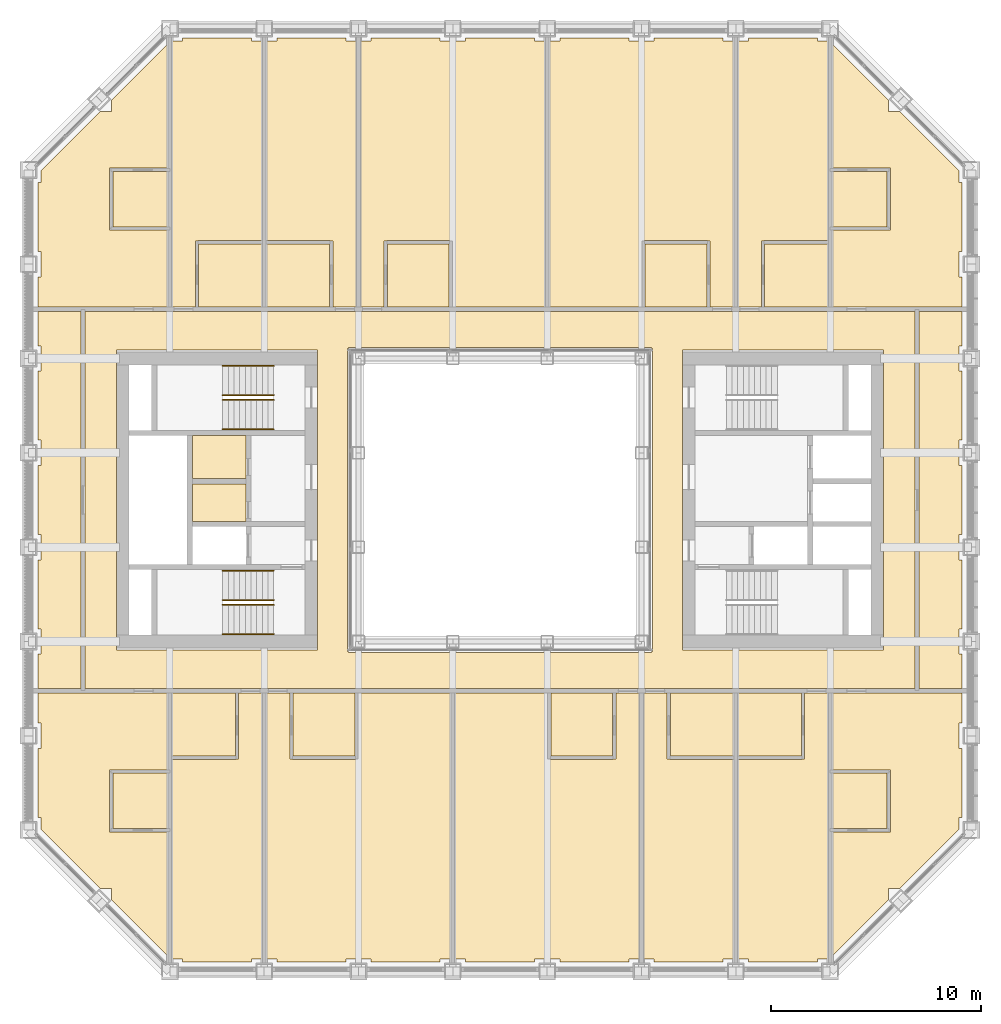
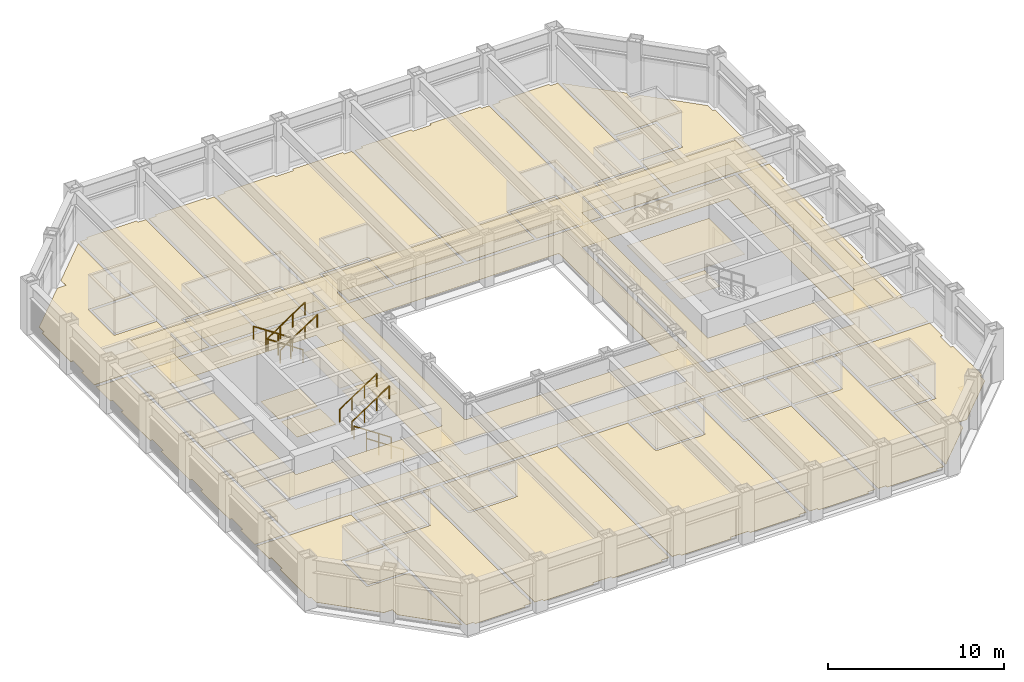
# One storey, part 15 of 17: 8 railings, 5 coverings.
"""IFC4 building model written with IfcOpenShell, lengths in metres."""

import ifcopenshell
import ifcopenshell.guid

model = None  # the IFC model being written
_history = None  # IfcOwnerHistory: only IFC2X3 demands one
_inside = {}  # id of a spatial element -> (the spatial element, [elements in it])
_under = {}  # id of a project, library or spatial element -> (it, [spatial elements below it])
_declared = {}  # id of a project -> (the project, [libraries it declares])
_typed = {}  # id of a type object -> (the type object, [elements of that type])
_made_of = {}  # id of a material, layer set ... -> (it, [elements and type objects made of it])


def new_model(schema):
    """Start an empty IFC model of exactly this schema.

    Asked for "IFC4X3", IfcOpenShell would pick the latest addendum, in which some entities
    have other attributes; the version numbers below select the first issue.
    IFC2X3 requires an IfcOwnerHistory on every rooted entity: one is made here for all.
    """
    global model, _history
    if schema == "IFC4X3":
        model = ifcopenshell.file(schema_version=(4, 3, 0, 0))
    else:
        model = ifcopenshell.file(schema=schema)
    _inside.clear()
    _under.clear()
    _declared.clear()
    _typed.clear()
    _made_of.clear()
    _history = None
    if model.schema == "IFC2X3":
        org = make("IfcOrganization", Name="unknown")
        user = make(
            "IfcPersonAndOrganization",
            ThePerson=make("IfcPerson", FamilyName="unknown"),
            TheOrganization=org,
        )
        app = make(
            "IfcApplication",
            ApplicationDeveloper=org,
            Version="unknown",
            ApplicationFullName="unknown",
            ApplicationIdentifier="unknown",
        )
        _history = make(
            "IfcOwnerHistory",
            OwningUser=user,
            OwningApplication=app,
            ChangeAction="ADDED",
            CreationDate=0,
        )
    return model


def make(cls, **values):
    """One entity of the class cls with the attributes given. An attribute that is None is left unset."""
    return model.create_entity(
        cls, **{name: value for name, value in values.items() if value is not None}
    )


def rooted(cls, **values):
    """An entity with a GlobalId (a new one), such as an element, a storey or a relation."""
    return make(cls, GlobalId=ifcopenshell.guid.new(), OwnerHistory=_history, **values)


def si_unit(unit_type, name, prefix=None):
    """IfcSIUnit, for example si_unit("LENGTHUNIT", "METRE", prefix="MILLI")."""
    return make("IfcSIUnit", UnitType=unit_type, Prefix=prefix, Name=name)


def assignment(units):
    """IfcUnitAssignment: the units of a project."""
    return None if units is None else make("IfcUnitAssignment", Units=units)


def point(xyz):
    """IfcCartesianPoint."""
    return None if xyz is None else make("IfcCartesianPoint", Coordinates=xyz)


def direction(xyz):
    """IfcDirection."""
    return None if xyz is None else make("IfcDirection", DirectionRatios=xyz)


def frame(location, z_axis=None, x_axis=None):
    """IfcAxis2Placement3D, a coordinate frame: its origin and axes. An axis left out is left unset."""
    return make(
        "IfcAxis2Placement3D",
        Location=point(location),
        Axis=direction(z_axis),
        RefDirection=direction(x_axis),
    )


def frame_2d(location, x_axis=None):
    """IfcAxis2Placement2D, a coordinate frame in the plane: its origin and x axis."""
    return make(
        "IfcAxis2Placement2D", Location=point(location), RefDirection=direction(x_axis)
    )


def origin():
    """The frame at (0, 0, 0) with its axes left unset."""
    return frame((0.0, 0.0, 0.0))


def origin_2d():
    """The frame at (0, 0) in the plane with its x axis left unset."""
    return frame_2d((0.0, 0.0))


def place(relative_to, where):
    """IfcLocalPlacement: puts the frame where relative to a parent placement (None: the world)."""
    return make(
        "IfcLocalPlacement", PlacementRelTo=relative_to, RelativePlacement=where
    )


def context(
    kind, dimensions, precision=None, world=None, true_north=None, identifier=None
):
    """IfcGeometricRepresentationContext, for example the 3D "Model" context."""
    return make(
        "IfcGeometricRepresentationContext",
        ContextIdentifier=identifier,
        ContextType=kind,
        CoordinateSpaceDimension=dimensions,
        Precision=precision,
        WorldCoordinateSystem=world,
        TrueNorth=true_north,
    )


def subcontext(parent, identifier, kind, view, scale=None):
    """IfcGeometricRepresentationSubContext, for example "Body" below "Model"."""
    return make(
        "IfcGeometricRepresentationSubContext",
        ContextIdentifier=identifier,
        ContextType=kind,
        ParentContext=parent,
        TargetScale=scale,
        TargetView=view,
    )


def project(units=None, contexts=None):
    """IfcProject with its units and contexts."""
    return rooted(
        "IfcProject",
        Name="project",
        RepresentationContexts=contexts,
        UnitsInContext=assignment(units),
    )


def spatial(cls, under=None, at=None, **own):
    """A site, building, storey or space (cls), placed at a placement, below another one or the project."""
    s = rooted(cls, ObjectPlacement=at, **own)
    if under is not None:
        _under.setdefault(under.id(), (under, []))[1].append(s)
    return s


def point_list(points):
    """IfcCartesianPointList2D or 3D."""
    cls = (
        "IfcCartesianPointList2D" if len(points[0]) == 2 else "IfcCartesianPointList3D"
    )
    return make(cls, CoordList=points)


def line(*indices):
    """IfcLineIndex: a straight run through numbered points of an indexed curve."""
    return model.create_entity("IfcLineIndex", indices)


def indexed_curve(points, segments=None, self_intersect=None):
    """IfcIndexedPolyCurve: lines and arcs through numbered points (the first is 1)."""
    return make(
        "IfcIndexedPolyCurve",
        Points=point_list(points),
        Segments=segments,
        SelfIntersect=self_intersect,
    )


def profile(cls, at=None, kind="AREA", **sizes):
    """A parametric profile (cls). Its sizes go by their IFC names, for example OverallWidth=200.0."""
    return make(cls, ProfileType=kind, Position=at, **sizes)


def circle(**sizes):
    """IfcCircleProfileDef."""
    return profile("IfcCircleProfileDef", **sizes)


def outline(outer, holes=None, kind="AREA"):
    """IfcArbitraryClosedProfileDef: a profile drawn as a closed curve; with holes, ...WithVoids."""
    if holes is None:
        return make("IfcArbitraryClosedProfileDef", ProfileType=kind, OuterCurve=outer)
    return make(
        "IfcArbitraryProfileDefWithVoids",
        ProfileType=kind,
        OuterCurve=outer,
        InnerCurves=holes,
    )


def extrude(swept, where, along, depth):
    """IfcExtrudedAreaSolid: the profile swept, set in the frame where, extruded along a direction by depth."""
    return make(
        "IfcExtrudedAreaSolid",
        SweptArea=swept,
        Position=where,
        ExtrudedDirection=direction(along),
        Depth=depth,
    )


def shape(context_of_items, identifier, shape_type, items):
    """IfcShapeRepresentation: the items that make up one representation, for example the "Body"."""
    return make(
        "IfcShapeRepresentation",
        ContextOfItems=context_of_items,
        RepresentationIdentifier=identifier,
        RepresentationType=shape_type,
        Items=items,
    )


def material(Name=None, Category=None):
    """IfcMaterial."""
    return make("IfcMaterial", Name=Name, Category=Category)


def layer(
    of_material, thickness, ventilated=None, Name=None, Category=None, Priority=None
):
    """IfcMaterialLayer: one layer of a wall or slab, of a material (None: an air gap)."""
    return make(
        "IfcMaterialLayer",
        Material=of_material,
        LayerThickness=thickness,
        IsVentilated=ventilated,
        Name=Name,
        Category=Category,
        Priority=Priority,
    )


def layer_set(layers, Name=None):
    """IfcMaterialLayerSet."""
    return make("IfcMaterialLayerSet", MaterialLayers=layers, LayerSetName=Name)


def made_of(thing, what):
    """Note that an element or type object is made of a material, layer set ...; save() writes the relation."""
    if what is not None:
        _made_of.setdefault(what.id(), (what, []))[1].append(thing)
    return thing


def type_object(cls, material=None, **own):
    """A type object (cls), such as IfcWallType, which elements share."""
    return made_of(rooted(cls, **own), material)


def element(
    cls,
    number,
    at=None,
    inside=None,
    cuts=None,
    type_object=None,
    material=None,
    context=None,
    identifier="Body",
    shape_type=None,
    held_by="IfcProductDefinitionShape",
    body=None,
    shapes=None,
    **own,
):
    """One element of the class cls, such as IfcWall. Its Tag is "e" and its number.

    at: its placement. inside: the storey or other place that contains it. cuts: it is an
    opening in that element (IfcRelVoidsElement). A single representation is given by context,
    identifier, shape_type and body (its items); several are given by shapes. held_by: the class
    of the entity that holds the representations. save() writes the other relations.
    """
    e = rooted(cls, Tag="e%d" % number, ObjectPlacement=at, **own)
    if body is not None:
        shapes = [shape(context, identifier, shape_type, body)]
    if shapes is not None:
        e.Representation = make(held_by, Representations=shapes)
    if inside is not None:
        _inside.setdefault(inside.id(), (inside, []))[1].append(e)
    if cuts is not None:
        rooted(
            "IfcRelVoidsElement", RelatingBuildingElement=cuts, RelatedOpeningElement=e
        )
    if type_object is not None:
        _typed.setdefault(type_object.id(), (type_object, []))[1].append(e)
    return made_of(e, material)


def aggregate(whole, parts):
    """IfcRelAggregates: a whole, such as a stair, and the parts it consists of."""
    return rooted("IfcRelAggregates", RelatingObject=whole, RelatedObjects=parts)


def save(model, path):
    """Write the relations noted so far, then the file.

    IfcRelAggregates (storeys below a building ...), IfcRelContainedInSpatialStructure (elements
    in a storey), IfcRelDefinesByType, IfcRelAssociatesMaterial and IfcRelDeclares: one each for
    every whole, place, type object, material and project.
    """
    for whole, parts in _under.values():
        aggregate(whole, parts)
    for where, things in _inside.values():
        rooted(
            "IfcRelContainedInSpatialStructure",
            RelatedElements=things,
            RelatingStructure=where,
        )
    for kind, things in _typed.values():
        rooted("IfcRelDefinesByType", RelatedObjects=things, RelatingType=kind)
    for what, things in _made_of.values():
        rooted("IfcRelAssociatesMaterial", RelatedObjects=things, RelatingMaterial=what)
    for by, libraries in _declared.values():
        rooted("IfcRelDeclares", RelatingContext=by, RelatedDefinitions=libraries)
    model.write(path)


model = new_model("IFC4")

# Units and contexts
model_context = context("Model", 3, precision=1e-05, world=origin(), true_north=direction((0.0, 1.0)))
body_context = subcontext(model_context, "Body", "Model", "MODEL_VIEW")
ifc_project = project(units=[si_unit("LENGTHUNIT", "METRE"), si_unit("AREAUNIT", "SQUARE_METRE"), si_unit("VOLUMEUNIT", "CUBIC_METRE"), si_unit("PLANEANGLEUNIT", "RADIAN"), si_unit("MASSUNIT", "GRAM", prefix="KILO")], contexts=[model_context])

# Site, building, storey
site_placement = place(None, origin())
site = spatial("IfcSite", under=ifc_project, at=site_placement, CompositionType="ELEMENT")
building_placement = place(site_placement, origin())
building = spatial("IfcBuilding", under=site, at=building_placement, Name="Msasa Ring Tower", CompositionType="ELEMENT")
storey_placement = place(building_placement, frame((0.0, 0.0, 136.39990234375)))
storey = spatial("IfcBuildingStorey", under=building, at=storey_placement, Name="L35", CompositionType="ELEMENT", Elevation=136.39990234375)

# Coverings
ifc_material_1 = material(Name="Gypsum plasterboard on a steel suspension grid", Category="steel")
ifc_layer_1 = layer(ifc_material_1, 0.014892578125)
ifc_layer_set_1 = layer_set([ifc_layer_1], Name="C1 SUSPENDED PLASTERBOARD CEILING 15")
covering_type_1 = type_object("IfcCoveringType", Name="C1 SUSPENDED PLASTERBOARD CEILING 15", PredefinedType="CEILING", material=ifc_layer_set_1)
covering_1_placement = place(storey_placement, frame((0.0, 0.0, 2.400146484375)))
element("IfcCovering", 1, at=covering_1_placement, inside=storey, type_object=covering_type_1, Name="Suspended Plasterboard Ceiling 15 circulation L35", PredefinedType="CEILING", context=body_context, shape_type="SweptSolid", body=[
    extrude(outline(indexed_curve([(19.799560546875, 8.99951171875), (19.799560546875, -8.99951171875), (-19.799560546875, -8.99951171875), (-19.799560546875, 8.99951171875)], segments=[line(1, 2, 3, 4, 1)], self_intersect=False), holes=[indexed_curve([(18.300537109375, -7.150390625), (18.300537109375, 7.150390625), (8.699462890625, 7.150390625), (8.699462890625, -7.150390625)], segments=[line(1, 2, 3, 4, 1)], self_intersect=False), indexed_curve([(-8.699462890625, -7.150390625), (-8.699462890625, 7.150390625), (-18.300537109375, 7.150390625), (-18.300537109375, -7.150390625)], segments=[line(1, 2, 3, 4, 1)], self_intersect=False), indexed_curve([(-7.280517578125, 7.23046875), (-7.280517578125, -7.23046875), (-7.22998046875, -7.23046875), (-7.22998046875, -7.280029296875), (7.22998046875, -7.280029296875), (7.22998046875, -7.23046875), (7.280517578125, -7.23046875), (7.280517578125, 7.23046875), (7.22998046875, 7.23046875), (7.22998046875, 7.280029296875), (-7.22998046875, 7.280029296875), (-7.22998046875, 7.23046875)], segments=[line(1, 2, 3, 4, 5, 6, 7, 8, 9, 10, 11, 12, 1)], self_intersect=False)]), origin(), (0.0, 0.0, 1.0), 0.014892578125),
    extrude(outline(indexed_curve([(-9.300537109375, -3.074462890625), (-11.87451171875, -3.074462890625), (-11.87451171875, -1.275390625), (-9.300537109375, -1.275390625)], segments=[line(1, 2, 3, 4, 1)], self_intersect=False)), origin(), (0.0, 0.0, 1.0), 0.014892578125),
    extrude(outline(indexed_curve([(-11.87451171875, -1.0244140625), (-11.87451171875, 3.074462890625), (-9.300537109375, 3.074462890625), (-9.300537109375, -1.0244140625)], segments=[line(1, 2, 3, 4, 1)], self_intersect=False)), origin(), (0.0, 0.0, 1.0), 0.014892578125),
    extrude(outline(indexed_curve([(11.87451171875, -3.074462890625), (9.300537109375, -3.074462890625), (9.300537109375, -1.275390625), (11.87451171875, -1.275390625)], segments=[line(1, 2, 3, 4, 1)], self_intersect=False)), origin(), (0.0, 0.0, 1.0), 0.014892578125),
    extrude(outline(indexed_curve([(9.300537109375, -1.0244140625), (9.300537109375, 3.074462890625), (14.674560546875, 3.074462890625), (14.674560546875, -1.0244140625)], segments=[line(1, 2, 3, 4, 1)], self_intersect=False)), origin(), (0.0, 0.0, 1.0), 0.014892578125),
])
ifc_material_2 = material(Name="Wool-blend carpet on felt underlay", Category="textile")
ifc_layer_2 = layer(ifc_material_2, 0.011962890625)
ifc_layer_set_2 = layer_set([ifc_layer_2], Name="F2 CARPET ON UNDERLAY 12")
covering_type_2 = type_object("IfcCoveringType", Name="F2 CARPET ON UNDERLAY 12", PredefinedType="FLOORING", material=ifc_layer_set_2)
covering_2_placement = place(storey_placement, origin())
element("IfcCovering", 2, at=covering_2_placement, inside=storey, type_object=covering_type_2, Name="Carpet On Underlay 12 L35", PredefinedType="FLOORING", context=body_context, shape_type="SweptSolid", body=[
    extrude(outline(indexed_curve([(19.799560546875, 8.99951171875), (19.799560546875, -8.99951171875), (-19.799560546875, -8.99951171875), (-19.799560546875, 8.99951171875)], segments=[line(1, 2, 3, 4, 1)], self_intersect=False), holes=[indexed_curve([(8.699462890625, -7.150390625), (18.300537109375, -7.150390625), (18.300537109375, 7.150390625), (8.699462890625, 7.150390625)], segments=[line(1, 2, 3, 4, 1)], self_intersect=False), indexed_curve([(-18.300537109375, 7.150390625), (-18.300537109375, -7.150390625), (-8.699462890625, -7.150390625), (-8.699462890625, 7.150390625)], segments=[line(1, 2, 3, 4, 1)], self_intersect=False), indexed_curve([(-7.280517578125, 7.23046875), (-7.280517578125, -7.23046875), (-7.22998046875, -7.23046875), (-7.22998046875, -7.280029296875), (7.22998046875, -7.280029296875), (7.22998046875, -7.23046875), (7.280517578125, -7.23046875), (7.280517578125, 7.23046875), (7.22998046875, 7.23046875), (7.22998046875, 7.280029296875), (-7.22998046875, 7.280029296875), (-7.22998046875, 7.23046875)], segments=[line(1, 2, 3, 4, 5, 6, 7, 8, 9, 10, 11, 12, 1)], self_intersect=False)]), origin(), (0.0, 0.0, 1.0), 0.01220703125),
    extrude(outline(indexed_curve([(-12.60009765625, -12.3505859375), (-12.474609375, -12.35009765625), (-12.474609375, -9.200439453125), (-11.3505859375, -9.200439453125), (-11.3505859375, -21.8994140625), (-11.8505859375, -21.8994140625), (-11.8505859375, -22.049560546875), (-15.1494140625, -22.049560546875), (-15.1494140625, -21.8994140625), (-15.6494140625, -21.8994140625), (-15.6494140625, -12.37548828125), (-12.60009765625, -12.37548828125)], segments=[line(1, 2, 3, 4, 5, 6, 7, 8, 9, 10, 11, 12, 1)], self_intersect=False)), origin(), (0.0, 0.0, 1.0), 0.01220703125),
    extrude(outline(indexed_curve([(-14.39990234375, 12.3505859375), (-14.525390625, 12.35009765625), (-14.525390625, 9.200439453125), (-15.6494140625, 9.200439453125), (-15.6494140625, 21.8994140625), (-15.1494140625, 21.8994140625), (-15.1494140625, 22.049560546875), (-11.8505859375, 22.049560546875), (-11.8505859375, 21.8994140625), (-11.3505859375, 21.8994140625), (-11.3505859375, 12.37548828125), (-14.39990234375, 12.37548828125)], segments=[line(1, 2, 3, 4, 5, 6, 7, 8, 9, 10, 11, 12, 1)], self_intersect=False)), origin(), (0.0, 0.0, 1.0), 0.01220703125),
    extrude(outline(indexed_curve([(-7.3505859375, 22.049560546875), (-7.3505859375, 21.8994140625), (-6.8505859375, 21.8994140625), (-6.8505859375, 9.200439453125), (-7.974609375, 9.200439453125), (-7.974609375, 12.35009765625), (-8.10009765625, 12.3505859375), (-8.10009765625, 12.37548828125), (-11.1494140625, 12.37548828125), (-11.1494140625, 21.8994140625), (-10.6494140625, 21.8994140625), (-10.6494140625, 22.049560546875)], segments=[line(1, 2, 3, 4, 5, 6, 7, 8, 9, 10, 11, 12, 1)], self_intersect=False)), origin(), (0.0, 0.0, 1.0), 0.01220703125),
    extrude(outline(indexed_curve([(7.3505859375, -22.049560546875), (7.3505859375, -21.8994140625), (6.8505859375, -21.8994140625), (6.8505859375, -9.200439453125), (7.974609375, -9.200439453125), (7.974609375, -12.35009765625), (8.10009765625, -12.3505859375), (8.10009765625, -12.37548828125), (11.1494140625, -12.37548828125), (11.1494140625, -21.8994140625), (10.6494140625, -21.8994140625), (10.6494140625, -22.049560546875)], segments=[line(1, 2, 3, 4, 5, 6, 7, 8, 9, 10, 11, 12, 1)], self_intersect=False)), origin(), (0.0, 0.0, 1.0), 0.01220703125),
    extrude(outline(indexed_curve([(14.39990234375, -12.3505859375), (14.525390625, -12.35009765625), (14.525390625, -9.200439453125), (15.6494140625, -9.200439453125), (15.6494140625, -21.8994140625), (15.1494140625, -21.8994140625), (15.1494140625, -22.049560546875), (11.8505859375, -22.049560546875), (11.8505859375, -21.8994140625), (11.3505859375, -21.8994140625), (11.3505859375, -12.37548828125), (14.39990234375, -12.37548828125)], segments=[line(1, 2, 3, 4, 5, 6, 7, 8, 9, 10, 11, 12, 1)], self_intersect=False)), origin(), (0.0, 0.0, 1.0), 0.01220703125),
    extrude(outline(indexed_curve([(12.60009765625, 12.3505859375), (12.474609375, 12.35009765625), (12.474609375, 9.200439453125), (11.3505859375, 9.200439453125), (11.3505859375, 21.8994140625), (11.8505859375, 21.8994140625), (11.8505859375, 22.049560546875), (15.1494140625, 22.049560546875), (15.1494140625, 21.8994140625), (15.6494140625, 21.8994140625), (15.6494140625, 12.37548828125), (12.60009765625, 12.37548828125)], segments=[line(1, 2, 3, 4, 5, 6, 7, 8, 9, 10, 11, 12, 1)], self_intersect=False)), origin(), (0.0, 0.0, 1.0), 0.01220703125),
])
ifc_material_3 = material(Name="Engineered oak boards on an acoustic underlay", Category="wood")
ifc_layer_3 = layer(ifc_material_3, 0.01806640625)
ifc_layer_set_3 = layer_set([ifc_layer_3], Name="F3 ENGINEERED TIMBER ON ACOUSTIC UNDERLAY 18")
covering_type_3 = type_object("IfcCoveringType", Name="F3 ENGINEERED TIMBER ON ACOUSTIC UNDERLAY 18", PredefinedType="FLOORING", material=ifc_layer_set_3)
covering_3_placement = place(storey_placement, origin())
element("IfcCovering", 3, at=covering_3_placement, inside=storey, type_object=covering_type_3, Name="Engineered Timber On Acoustic Underlay 18 L35", PredefinedType="FLOORING", context=body_context, shape_type="SweptSolid", body=[
    extrude(outline(indexed_curve([(-15.8505859375, -21.762451171875), (-18.5244140625, -19.08837890625), (-18.5244140625, -18.5244140625), (-19.08837890625, -18.5244140625), (-21.8994140625, -15.71337890625), (-21.8994140625, -15.1494140625), (-22.049560546875, -15.1494140625), (-22.049560546875, -11.8505859375), (-21.8994140625, -11.8505859375), (-21.8994140625, -10.6494140625), (-22.049560546875, -10.6494140625), (-22.049560546875, -9.200439453125), (-15.8505859375, -9.200439453125), (-15.8505859375, -12.869384765625), (-18.630615234375, -12.869384765625), (-18.630615234375, -15.83056640625), (-15.8505859375, -15.83056640625)], segments=[line(1, 2, 3, 4, 5, 6, 7, 8, 9, 10, 11, 12, 13, 14, 15, 16, 17, 1)], self_intersect=False)), origin(), (0.0, 0.0, 1.0), 0.01806640625),
    extrude(outline(indexed_curve([(-18.630615234375, 12.869384765625), (-15.8505859375, 12.869384765625), (-15.8505859375, 9.200439453125), (-22.049560546875, 9.200439453125), (-22.049560546875, 10.6494140625), (-21.8994140625, 10.6494140625), (-21.8994140625, 11.8505859375), (-22.049560546875, 11.8505859375), (-22.049560546875, 15.1494140625), (-21.8994140625, 15.1494140625), (-21.8994140625, 15.71337890625), (-19.08837890625, 18.5244140625), (-18.5244140625, 18.5244140625), (-18.5244140625, 19.08837890625), (-15.8505859375, 21.762451171875), (-15.8505859375, 15.83056640625), (-18.630615234375, 15.83056640625)], segments=[line(1, 2, 3, 4, 5, 6, 7, 8, 9, 10, 11, 12, 13, 14, 15, 16, 17, 1)], self_intersect=False)), origin(), (0.0, 0.0, 1.0), 0.01806640625),
    extrude(outline(indexed_curve([(-9.89990234375, -12.3505859375), (-9.89990234375, -12.37548828125), (-6.89990234375, -12.37548828125), (-6.89990234375, -12.3505859375), (-6.7744140625, -12.35009765625), (-6.7744140625, -9.200439453125), (-2.3505859375, -9.200439453125), (-2.3505859375, -21.8994140625), (-2.8505859375, -21.8994140625), (-2.8505859375, -22.049560546875), (-6.1494140625, -22.049560546875), (-6.1494140625, -21.8994140625), (-7.3505859375, -21.8994140625), (-7.3505859375, -22.049560546875), (-10.6494140625, -22.049560546875), (-10.6494140625, -21.8994140625), (-11.1494140625, -21.8994140625), (-11.1494140625, -9.200439453125), (-10.025390625, -9.200439453125), (-10.025390625, -12.35009765625)], segments=[line(1, 2, 3, 4, 5, 6, 7, 8, 9, 10, 11, 12, 13, 14, 15, 16, 17, 18, 19, 20, 1)], self_intersect=False)), origin(), (0.0, 0.0, 1.0), 0.01806640625),
    extrude(outline(indexed_curve([(-2.39990234375, 12.3505859375), (-2.39990234375, 12.37548828125), (-5.39990234375, 12.37548828125), (-5.39990234375, 12.3505859375), (-5.525390625, 12.35009765625), (-5.525390625, 9.200439453125), (-6.6494140625, 9.200439453125), (-6.6494140625, 21.8994140625), (-6.1494140625, 21.8994140625), (-6.1494140625, 22.049560546875), (-2.8505859375, 22.049560546875), (-2.8505859375, 21.8994140625), (-1.6494140625, 21.8994140625), (-1.6494140625, 22.049560546875), (1.6494140625, 22.049560546875), (1.6494140625, 21.8994140625), (2.1494140625, 21.8994140625), (2.1494140625, 9.200439453125), (-2.2744140625, 9.200439453125), (-2.2744140625, 12.35009765625)], segments=[line(1, 2, 3, 4, 5, 6, 7, 8, 9, 10, 11, 12, 13, 14, 15, 16, 17, 18, 19, 20, 1)], self_intersect=False)), origin(), (0.0, 0.0, 1.0), 0.01806640625),
    extrude(outline(indexed_curve([(2.39990234375, -12.3505859375), (2.39990234375, -12.37548828125), (5.39990234375, -12.37548828125), (5.39990234375, -12.3505859375), (5.525390625, -12.35009765625), (5.525390625, -9.200439453125), (6.6494140625, -9.200439453125), (6.6494140625, -21.8994140625), (6.1494140625, -21.8994140625), (6.1494140625, -22.049560546875), (2.8505859375, -22.049560546875), (2.8505859375, -21.8994140625), (1.6494140625, -21.8994140625), (1.6494140625, -22.049560546875), (-1.6494140625, -22.049560546875), (-1.6494140625, -21.8994140625), (-2.1494140625, -21.8994140625), (-2.1494140625, -9.200439453125), (2.2744140625, -9.200439453125), (2.2744140625, -12.35009765625)], segments=[line(1, 2, 3, 4, 5, 6, 7, 8, 9, 10, 11, 12, 13, 14, 15, 16, 17, 18, 19, 20, 1)], self_intersect=False)), origin(), (0.0, 0.0, 1.0), 0.01806640625),
    extrude(outline(indexed_curve([(9.89990234375, 12.3505859375), (9.89990234375, 12.37548828125), (6.89990234375, 12.37548828125), (6.89990234375, 12.3505859375), (6.7744140625, 12.35009765625), (6.7744140625, 9.200439453125), (2.3505859375, 9.200439453125), (2.3505859375, 21.8994140625), (2.8505859375, 21.8994140625), (2.8505859375, 22.049560546875), (6.1494140625, 22.049560546875), (6.1494140625, 21.8994140625), (7.3505859375, 21.8994140625), (7.3505859375, 22.049560546875), (10.6494140625, 22.049560546875), (10.6494140625, 21.8994140625), (11.1494140625, 21.8994140625), (11.1494140625, 9.200439453125), (10.025390625, 9.200439453125), (10.025390625, 12.35009765625)], segments=[line(1, 2, 3, 4, 5, 6, 7, 8, 9, 10, 11, 12, 13, 14, 15, 16, 17, 18, 19, 20, 1)], self_intersect=False)), origin(), (0.0, 0.0, 1.0), 0.01806640625),
    extrude(outline(indexed_curve([(18.630615234375, -12.869384765625), (15.8505859375, -12.869384765625), (15.8505859375, -9.200439453125), (22.049560546875, -9.200439453125), (22.049560546875, -10.6494140625), (21.8994140625, -10.6494140625), (21.8994140625, -11.8505859375), (22.049560546875, -11.8505859375), (22.049560546875, -15.1494140625), (21.8994140625, -15.1494140625), (21.8994140625, -15.71337890625), (19.08837890625, -18.5244140625), (18.5244140625, -18.5244140625), (18.5244140625, -19.08837890625), (15.8505859375, -21.762451171875), (15.8505859375, -15.83056640625), (18.630615234375, -15.83056640625)], segments=[line(1, 2, 3, 4, 5, 6, 7, 8, 9, 10, 11, 12, 13, 14, 15, 16, 17, 1)], self_intersect=False)), origin(), (0.0, 0.0, 1.0), 0.01806640625),
    extrude(outline(indexed_curve([(15.8505859375, 21.762451171875), (18.5244140625, 19.08837890625), (18.5244140625, 18.5244140625), (19.08837890625, 18.5244140625), (21.8994140625, 15.71337890625), (21.8994140625, 15.1494140625), (22.049560546875, 15.1494140625), (22.049560546875, 11.8505859375), (21.8994140625, 11.8505859375), (21.8994140625, 10.6494140625), (22.049560546875, 10.6494140625), (22.049560546875, 9.200439453125), (15.8505859375, 9.200439453125), (15.8505859375, 12.869384765625), (18.630615234375, 12.869384765625), (18.630615234375, 15.83056640625), (15.8505859375, 15.83056640625)], segments=[line(1, 2, 3, 4, 5, 6, 7, 8, 9, 10, 11, 12, 13, 14, 15, 16, 17, 1)], self_intersect=False)), origin(), (0.0, 0.0, 1.0), 0.01806640625),
])
ifc_material_4 = material(Name="Porcelain floor tiles in adhesive", Category="ceramic")
ifc_layer_4 = layer(ifc_material_4, 0.010009765625)
ifc_layer_set_4 = layer_set([ifc_layer_4], Name="F4 PORCELAIN TILE ON ADHESIVE 10")
covering_type_4 = type_object("IfcCoveringType", Name="F4 PORCELAIN TILE ON ADHESIVE 10", PredefinedType="FLOORING", material=ifc_layer_set_4)
covering_4_placement = place(storey_placement, origin())
element("IfcCovering", 4, at=covering_4_placement, inside=storey, type_object=covering_type_4, Name="Porcelain Tile On Adhesive 10 L35", PredefinedType="FLOORING", context=body_context, shape_type="SweptSolid", body=[
    extrude(outline(indexed_curve([(-18.469482421875, -13.030517578125), (-15.8505859375, -13.030517578125), (-15.8505859375, -15.66943359375), (-18.469482421875, -15.66943359375)], segments=[line(1, 2, 3, 4, 1)], self_intersect=False)), origin(), (0.0, 0.0, 1.0), 0.010009765625),
    extrude(outline(indexed_curve([(-15.8505859375, 15.66943359375), (-15.8505859375, 13.030517578125), (-18.469482421875, 13.030517578125), (-18.469482421875, 15.66943359375)], segments=[line(1, 2, 3, 4, 1)], self_intersect=False)), origin(), (0.0, 0.0, 1.0), 0.010009765625),
    extrude(outline(indexed_curve([(-12.62548828125, -9.200439453125), (-12.62548828125, -12.224609375), (-15.6494140625, -12.224609375), (-15.6494140625, -9.200439453125)], segments=[line(1, 2, 3, 4, 1)], self_intersect=False)), origin(), (0.0, 0.0, 1.0), 0.010009765625),
    extrude(outline(indexed_curve([(-12.12548828125, -1.0244140625), (-14.674560546875, -1.0244140625), (-14.674560546875, 0.7744140625), (-12.12548828125, 0.7744140625)], segments=[line(1, 2, 3, 4, 1)], self_intersect=False)), origin(), (0.0, 0.0, 1.0), 0.010009765625),
    extrude(outline(indexed_curve([(-11.3505859375, 9.200439453125), (-14.37451171875, 9.200439453125), (-14.37451171875, 12.224609375), (-11.3505859375, 12.224609375)], segments=[line(1, 2, 3, 4, 1)], self_intersect=False)), origin(), (0.0, 0.0, 1.0), 0.010009765625),
    extrude(outline(indexed_curve([(-11.1494140625, 9.200439453125), (-11.1494140625, 12.224609375), (-8.12548828125, 12.224609375), (-8.12548828125, 9.200439453125)], segments=[line(1, 2, 3, 4, 1)], self_intersect=False)), origin(), (0.0, 0.0, 1.0), 0.010009765625),
    extrude(outline(indexed_curve([(-6.925537109375, -9.200439453125), (-6.925537109375, -12.224609375), (-9.87451171875, -12.224609375), (-9.87451171875, -9.200439453125)], segments=[line(1, 2, 3, 4, 1)], self_intersect=False)), origin(), (0.0, 0.0, 1.0), 0.010009765625),
    extrude(outline(indexed_curve([(-5.37451171875, 9.200439453125), (-5.37451171875, 12.224609375), (-2.425537109375, 12.224609375), (-2.425537109375, 9.200439453125)], segments=[line(1, 2, 3, 4, 1)], self_intersect=False)), origin(), (0.0, 0.0, 1.0), 0.010009765625),
    extrude(outline(indexed_curve([(5.37451171875, -9.200439453125), (5.37451171875, -12.224609375), (2.425537109375, -12.224609375), (2.425537109375, -9.200439453125)], segments=[line(1, 2, 3, 4, 1)], self_intersect=False)), origin(), (0.0, 0.0, 1.0), 0.010009765625),
    extrude(outline(indexed_curve([(6.925537109375, 9.200439453125), (6.925537109375, 12.224609375), (9.87451171875, 12.224609375), (9.87451171875, 9.200439453125)], segments=[line(1, 2, 3, 4, 1)], self_intersect=False)), origin(), (0.0, 0.0, 1.0), 0.010009765625),
    extrude(outline(indexed_curve([(11.1494140625, -9.200439453125), (11.1494140625, -12.224609375), (8.12548828125, -12.224609375), (8.12548828125, -9.200439453125)], segments=[line(1, 2, 3, 4, 1)], self_intersect=False)), origin(), (0.0, 0.0, 1.0), 0.010009765625),
    extrude(outline(indexed_curve([(14.37451171875, -9.200439453125), (14.37451171875, -12.224609375), (11.3505859375, -12.224609375), (11.3505859375, -9.200439453125)], segments=[line(1, 2, 3, 4, 1)], self_intersect=False)), origin(), (0.0, 0.0, 1.0), 0.010009765625),
    extrude(outline(indexed_curve([(15.6494140625, 9.200439453125), (12.62548828125, 9.200439453125), (12.62548828125, 12.224609375), (15.6494140625, 12.224609375)], segments=[line(1, 2, 3, 4, 1)], self_intersect=False)), origin(), (0.0, 0.0, 1.0), 0.010009765625),
    extrude(outline(indexed_curve([(18.469482421875, -13.030517578125), (18.469482421875, -15.66943359375), (15.8505859375, -15.66943359375), (15.8505859375, -13.030517578125)], segments=[line(1, 2, 3, 4, 1)], self_intersect=False)), origin(), (0.0, 0.0, 1.0), 0.010009765625),
    extrude(outline(indexed_curve([(18.469482421875, 15.66943359375), (18.469482421875, 13.030517578125), (15.8505859375, 13.030517578125), (15.8505859375, 15.66943359375)], segments=[line(1, 2, 3, 4, 1)], self_intersect=False)), origin(), (0.0, 0.0, 1.0), 0.010009765625),
])
ifc_material_5 = material(Name="Welded vinyl safety sheet flooring", Category="vinyl")
ifc_layer_5 = layer(ifc_material_5, 0.0029296875)
ifc_layer_set_5 = layer_set([ifc_layer_5], Name="F5 RESILIENT SHEET FLOORING 3")
covering_type_5 = type_object("IfcCoveringType", Name="F5 RESILIENT SHEET FLOORING 3", PredefinedType="FLOORING", material=ifc_layer_set_5)
covering_5_placement = place(storey_placement, origin())
element("IfcCovering", 5, at=covering_5_placement, inside=storey, type_object=covering_type_5, Name="Resilient Sheet Flooring 3 L35", PredefinedType="FLOORING", context=body_context, shape_type="SweptSolid", body=[
    extrude(outline(indexed_curve([(-22.049560546875, -7.3505859375), (-21.8994140625, -7.3505859375), (-21.8994140625, -6.1494140625), (-22.049560546875, -6.1494140625), (-22.049560546875, -2.8505859375), (-21.8994140625, -2.8505859375), (-21.8994140625, -1.6494140625), (-22.049560546875, -1.6494140625), (-22.049560546875, 1.6494140625), (-21.8994140625, 1.6494140625), (-21.8994140625, 2.8505859375), (-22.049560546875, 2.8505859375), (-22.049560546875, 6.1494140625), (-21.8994140625, 6.1494140625), (-21.8994140625, 7.3505859375), (-22.049560546875, 7.3505859375), (-22.049560546875, 8.99951171875), (-20.00048828125, 8.99951171875), (-20.00048828125, -8.99951171875), (-22.049560546875, -8.99951171875)], segments=[line(1, 2, 3, 4, 5, 6, 7, 8, 9, 10, 11, 12, 13, 14, 15, 16, 17, 18, 19, 20, 1)], self_intersect=False)), origin(), (0.0, 0.0, 1.0), 0.003173828125),
    extrude(outline(indexed_curve([(-14.674560546875, 3.074462890625), (-12.12548828125, 3.074462890625), (-12.12548828125, 1.025390625), (-14.674560546875, 1.025390625)], segments=[line(1, 2, 3, 4, 1)], self_intersect=False)), origin(), (0.0, 0.0, 1.0), 0.003173828125),
    extrude(outline(indexed_curve([(22.049560546875, 7.3505859375), (21.8994140625, 7.3505859375), (21.8994140625, 6.1494140625), (22.049560546875, 6.1494140625), (22.049560546875, 2.8505859375), (21.8994140625, 2.8505859375), (21.8994140625, 1.6494140625), (22.049560546875, 1.6494140625), (22.049560546875, -1.6494140625), (21.8994140625, -1.6494140625), (21.8994140625, -2.8505859375), (22.049560546875, -2.8505859375), (22.049560546875, -6.1494140625), (21.8994140625, -6.1494140625), (21.8994140625, -7.3505859375), (22.049560546875, -7.3505859375), (22.049560546875, -8.99951171875), (20.00048828125, -8.99951171875), (20.00048828125, 8.99951171875), (22.049560546875, 8.99951171875)], segments=[line(1, 2, 3, 4, 5, 6, 7, 8, 9, 10, 11, 12, 13, 14, 15, 16, 17, 18, 19, 20, 1)], self_intersect=False)), origin(), (0.0, 0.0, 1.0), 0.003173828125),
])

# Railings
ifc_material_6 = material(Name="Stainless steel", Category="steel")
railing_type = type_object("IfcRailingType", Name="HR1 HANDRAIL 900", PredefinedType="HANDRAIL", material=ifc_material_6)
for number, where, name in (
    (6, (-10.800048828125, -6.39990234375, 0.18017578125), "Handrail stair SWA L35 1"),
    (7, (-10.800048828125, -5.0, 0.18017578125), "Handrail stair SWA L35 2"),
):
    element("IfcRailing", number, at=place(storey_placement, frame(where)), inside=storey, type_object=railing_type, Name=name, PredefinedType="HANDRAIL", context=body_context, shape_type="SweptSolid", body=[
        extrude(circle(Radius=0.02392578125, at=origin_2d()), frame((0.0, 0.0, 0.8759765625), z_axis=(-0.832063155534, 0.0, 0.554680903946), x_axis=(0.0, -1.0, 0.0)), (0.0, 0.0, 1.0), 2.92041015625),
        extrude(circle(Radius=0.02099609375, at=origin_2d()), origin(), (0.0, 0.0, 1.0), 0.851806640625),
        extrude(circle(Radius=0.02099609375, at=origin_2d()), frame((-0.81005859375, 0.0, 0.5400390625)), (0.0, 0.0, 1.0), 0.851806640625),
        extrude(circle(Radius=0.02099609375, at=origin_2d()), frame((-1.619873046875, 0.0, 1.079833984375)), (0.0, 0.0, 1.0), 0.851806640625),
        extrude(circle(Radius=0.02099609375, at=origin_2d()), frame((-2.429931640625, 0.0, 1.619873046875)), (0.0, 0.0, 1.0), 0.851806640625),
    ])
for number, where, name in (
    (8, (-13.22998046875, -4.77490234375, 1.97998046875), "Handrail stair SWA L35 3"),
    (9, (-13.22998046875, -3.375, 1.97998046875), "Handrail stair SWA L35 4"),
):
    element("IfcRailing", number, at=place(storey_placement, frame(where)), inside=storey, type_object=railing_type, Name=name, PredefinedType="HANDRAIL", context=body_context, shape_type="SweptSolid", body=[
        extrude(circle(Radius=0.02392578125, at=origin_2d()), frame((0.0, 0.0, 0.8759765625), z_axis=(0.832024571796, 0.0, 0.554738778101), x_axis=(0.0, 1.0, 0.0)), (0.0, 0.0, 1.0), 2.92041015625),
        extrude(circle(Radius=0.02099609375, at=origin_2d()), origin(), (0.0, 0.0, 1.0), 0.851806640625),
        extrude(circle(Radius=0.02099609375, at=origin_2d()), frame((0.81005859375, 0.0, 0.5400390625)), (0.0, 0.0, 1.0), 0.851806640625),
        extrude(circle(Radius=0.02099609375, at=origin_2d()), frame((1.619873046875, 0.0, 1.080078125)), (0.0, 0.0, 1.0), 0.851806640625),
        extrude(circle(Radius=0.02099609375, at=origin_2d()), frame((2.429931640625, 0.0, 1.6201171875)), (0.0, 0.0, 1.0), 0.851806640625),
    ])
for number, where, name in (
    (10, (-10.800048828125, 5.0, 0.18017578125), "Handrail stair SWB L35 1"),
    (11, (-10.800048828125, 6.39990234375, 0.18017578125), "Handrail stair SWB L35 2"),
):
    element("IfcRailing", number, at=place(storey_placement, frame(where)), inside=storey, type_object=railing_type, Name=name, PredefinedType="HANDRAIL", context=body_context, shape_type="SweptSolid", body=[
        extrude(circle(Radius=0.02392578125, at=origin_2d()), frame((0.0, 0.0, 0.8759765625), z_axis=(-0.832063155534, 0.0, 0.554680903946), x_axis=(0.0, -1.0, 0.0)), (0.0, 0.0, 1.0), 2.92041015625),
        extrude(circle(Radius=0.02099609375, at=origin_2d()), origin(), (0.0, 0.0, 1.0), 0.851806640625),
        extrude(circle(Radius=0.02099609375, at=origin_2d()), frame((-0.81005859375, 0.0, 0.5400390625)), (0.0, 0.0, 1.0), 0.851806640625),
        extrude(circle(Radius=0.02099609375, at=origin_2d()), frame((-1.619873046875, 0.0, 1.079833984375)), (0.0, 0.0, 1.0), 0.851806640625),
        extrude(circle(Radius=0.02099609375, at=origin_2d()), frame((-2.429931640625, 0.0, 1.619873046875)), (0.0, 0.0, 1.0), 0.851806640625),
    ])
for number, where, name in (
    (12, (-13.22998046875, 3.375, 1.97998046875), "Handrail stair SWB L35 3"),
    (13, (-13.22998046875, 4.77490234375, 1.97998046875), "Handrail stair SWB L35 4"),
):
    element("IfcRailing", number, at=place(storey_placement, frame(where)), inside=storey, type_object=railing_type, Name=name, PredefinedType="HANDRAIL", context=body_context, shape_type="SweptSolid", body=[
        extrude(circle(Radius=0.02392578125, at=origin_2d()), frame((0.0, 0.0, 0.8759765625), z_axis=(0.832024571796, 0.0, 0.554738778101), x_axis=(0.0, 1.0, 0.0)), (0.0, 0.0, 1.0), 2.92041015625),
        extrude(circle(Radius=0.02099609375, at=origin_2d()), origin(), (0.0, 0.0, 1.0), 0.851806640625),
        extrude(circle(Radius=0.02099609375, at=origin_2d()), frame((0.81005859375, 0.0, 0.5400390625)), (0.0, 0.0, 1.0), 0.851806640625),
        extrude(circle(Radius=0.02099609375, at=origin_2d()), frame((1.619873046875, 0.0, 1.080078125)), (0.0, 0.0, 1.0), 0.851806640625),
        extrude(circle(Radius=0.02099609375, at=origin_2d()), frame((2.429931640625, 0.0, 1.6201171875)), (0.0, 0.0, 1.0), 0.851806640625),
    ])

save(model, "model.ifc")
